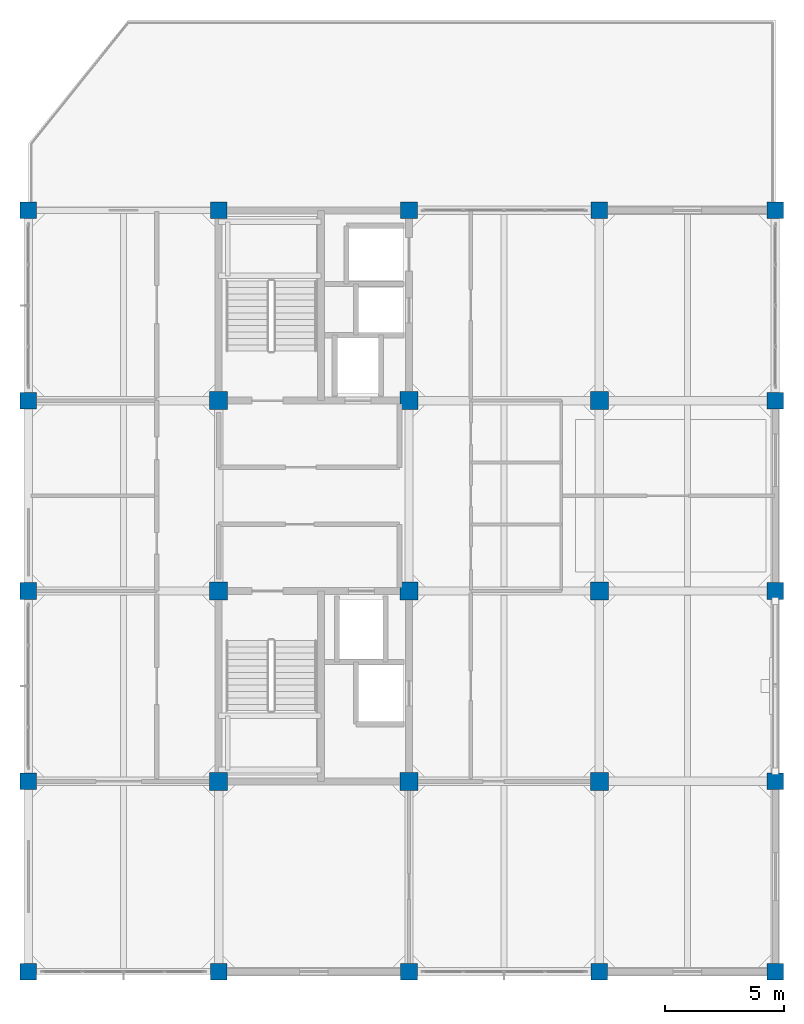
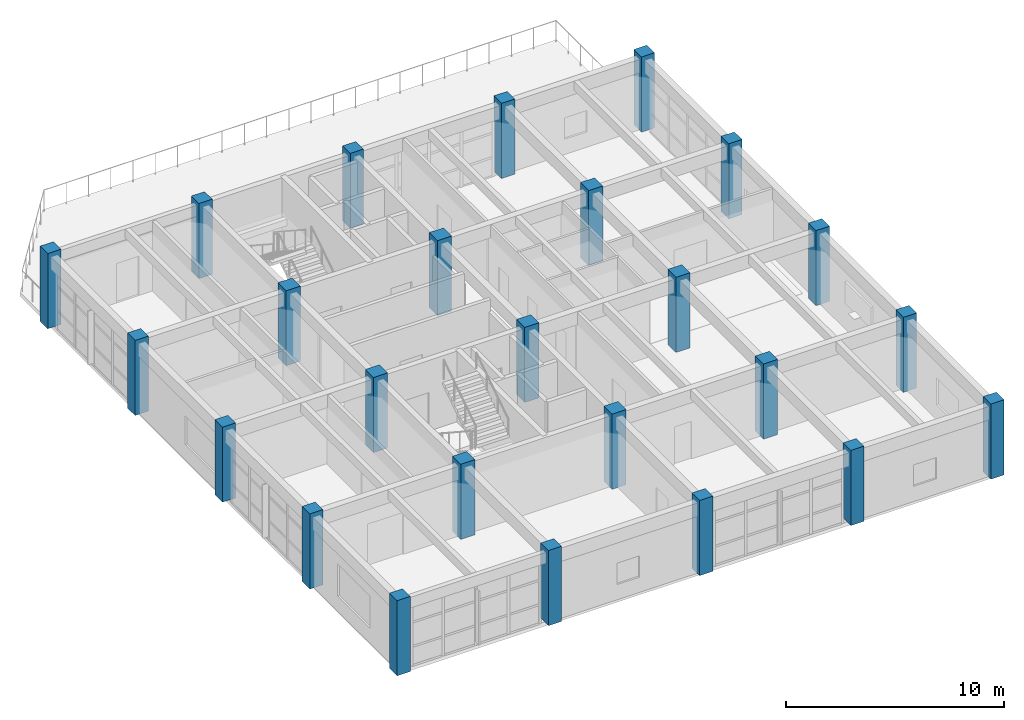
# One storey, part 1 of 19: 25 columns.
"""IFC4 building model written with IfcOpenShell, lengths in metres."""

from ifc_helpers import new_model, si_unit, direction, frame, origin, origin_2d, place, context, subcontext, project, spatial, rectangle, extrude, material, material_profile, profile_set, type_object, element, save


model = new_model("IFC4")

# Units and contexts
model_context = context("Model", 3, precision=1e-05, world=origin(), true_north=direction((0.0, 1.0)))
body_context = subcontext(model_context, "Body", "Model", "MODEL_VIEW")
ifc_project = project(units=[si_unit("LENGTHUNIT", "METRE"), si_unit("AREAUNIT", "SQUARE_METRE"), si_unit("VOLUMEUNIT", "CUBIC_METRE"), si_unit("PLANEANGLEUNIT", "RADIAN"), si_unit("MASSUNIT", "GRAM", prefix="KILO")], contexts=[model_context])

# Site, building, storey
site_placement = place(None, origin())
site = spatial("IfcSite", under=ifc_project, at=site_placement, CompositionType="ELEMENT")
building_placement = place(site_placement, origin())
building = spatial("IfcBuilding", under=site, at=building_placement, Name="Canggui Botanical Conservatory", CompositionType="ELEMENT")
storey_placement = place(building_placement, frame((0.0, 0.0, 48.60009765625)))
storey = spatial("IfcBuildingStorey", under=building, at=storey_placement, Name="L12", CompositionType="ELEMENT", Elevation=48.60009765625)

# Columns
ifc_material_1 = material(Name="Concrete C40", Category="concrete")
ifc_material_profile_1 = material_profile(ifc_material_1, rectangle(XDim=0.75, YDim=0.75, at=origin_2d()), Name="RC 750x750")
ifc_profile_set_1 = profile_set([ifc_material_profile_1], Name="Concrete C40")
column_type_1 = type_object("IfcColumnType", Name="COL-KZ08", PredefinedType="COLUMN", material=ifc_profile_set_1)
for number, where, z_axis, x_axis, name in (
    (1, (154.0, 42.0, 0.0), (0.0, 0.0, 1.0), (1.0, 0.0, 0.0), "Tower RC Column L12 (154,42)"),
    (2, (154.0, 50.0, 0.0), (0.0, 0.0, 1.0), (1.0, 0.0, 0.0), "Tower RC Column L12 (154,50)"),
    (3, (154.0, 58.0, 0.0), (0.0, 0.0, 1.0), (1.0, 0.0, 0.0), "Tower RC Column L12 (154,58)"),
    (4, (162.0, 42.0, 0.0), (0.0, 0.0, 1.0), (1.0, 0.0, 0.0), "Tower RC Column L12 (162,42)"),
    (5, (162.0, 50.0, 0.0), (0.0, 0.0, 1.0), (1.0, 0.0, 0.0), "Tower RC Column L12 (162,50)"),
    (6, (162.0, 58.0, 0.0), (0.0, 0.0, 1.0), (1.0, 0.0, 0.0), "Tower RC Column L12 (162,58)"),
    (7, (170.0, 42.0, 0.0), (0.0, 0.0, 1.0), (1.0, 0.0, 0.0), "Tower RC Column L12 (170,42)"),
    (8, (170.0, 50.0, 0.0), (0.0, 0.0, 1.0), (1.0, 0.0, 0.0), "Tower RC Column L12 (170,50)"),
    (9, (170.0, 58.0, 0.0), (0.0, 0.0, 1.0), (1.0, 0.0, 0.0), "Tower RC Column L12 (170,58)"),
):
    element("IfcColumn", number, at=place(storey_placement, frame(where, z_axis=z_axis, x_axis=x_axis)), inside=storey, type_object=column_type_1, Name=name, PredefinedType="COLUMN", context=body_context, shape_type="SweptSolid", body=[
        extrude(rectangle(XDim=0.75, YDim=0.75, at=origin_2d()), origin(), (0.0, 0.0, 1.0), 4.199951171875),
    ])
ifc_material_2 = material(Name="Concrete C35", Category="concrete")
ifc_material_profile_2 = material_profile(ifc_material_2, rectangle(XDim=0.699951171875, YDim=0.699951171875, at=origin_2d()), Name="RC 700x700")
ifc_profile_set_2 = profile_set([ifc_material_profile_2], Name="Concrete C35")
column_type_2 = type_object("IfcColumnType", Name="COL-KZ09", PredefinedType="COLUMN", material=ifc_profile_set_2)
for number, where, z_axis, x_axis, name in (
    (10, (146.0, 34.0, 0.0), (0.0, 0.0, 1.0), (1.0, 0.0, 0.0), "Tower RC Column L12 (146,34)"),
    (11, (146.0, 42.0, 0.0), (0.0, 0.0, 1.0), (1.0, 0.0, 0.0), "Tower RC Column L12 (146,42)"),
    (12, (146.0, 50.0, 0.0), (0.0, 0.0, 1.0), (1.0, 0.0, 0.0), "Tower RC Column L12 (146,50)"),
    (13, (146.0, 58.0, 0.0), (0.0, 0.0, 1.0), (1.0, 0.0, 0.0), "Tower RC Column L12 (146,58)"),
    (14, (146.0, 66.0, 0.0), (0.0, 0.0, 1.0), (1.0, 0.0, 0.0), "Tower RC Column L12 (146,66)"),
    (15, (154.0, 34.0, 0.0), (0.0, 0.0, 1.0), (1.0, 0.0, 0.0), "Tower RC Column L12 (154,34)"),
    (16, (154.0, 66.0, 0.0), (0.0, 0.0, 1.0), (1.0, 0.0, 0.0), "Tower RC Column L12 (154,66)"),
    (17, (162.0, 34.0, 0.0), (0.0, 0.0, 1.0), (1.0, 0.0, 0.0), "Tower RC Column L12 (162,34)"),
    (18, (162.0, 66.0, 0.0), (0.0, 0.0, 1.0), (1.0, 0.0, 0.0), "Tower RC Column L12 (162,66)"),
    (19, (170.0, 34.0, 0.0), (0.0, 0.0, 1.0), (1.0, 0.0, 0.0), "Tower RC Column L12 (170,34)"),
    (20, (170.0, 66.0, 0.0), (0.0, 0.0, 1.0), (1.0, 0.0, 0.0), "Tower RC Column L12 (170,66)"),
    (21, (177.39990234375, 34.0, 0.0), (0.0, 0.0, 1.0), (1.0, 0.0, 0.0), "Tower RC Column L12 (178,34)"),
    (22, (177.39990234375, 42.0, 0.0), (0.0, 0.0, 1.0), (1.0, 0.0, 0.0), "Tower RC Column L12 (178,42)"),
    (23, (177.39990234375, 50.0, 0.0), (0.0, 0.0, 1.0), (1.0, 0.0, 0.0), "Tower RC Column L12 (178,50)"),
    (24, (177.39990234375, 58.0, 0.0), (0.0, 0.0, 1.0), (1.0, 0.0, 0.0), "Tower RC Column L12 (178,58)"),
    (25, (177.39990234375, 66.0, 0.0), (0.0, 0.0, 1.0), (1.0, 0.0, 0.0), "Tower RC Column L12 (178,66)"),
):
    element("IfcColumn", number, at=place(storey_placement, frame(where, z_axis=z_axis, x_axis=x_axis)), inside=storey, type_object=column_type_2, Name=name, PredefinedType="COLUMN", context=body_context, shape_type="SweptSolid", body=[
        extrude(rectangle(XDim=0.699951171875, YDim=0.699951171875, at=origin_2d()), origin(), (0.0, 0.0, 1.0), 4.199951171875),
    ])

save(model, "model.ifc")
